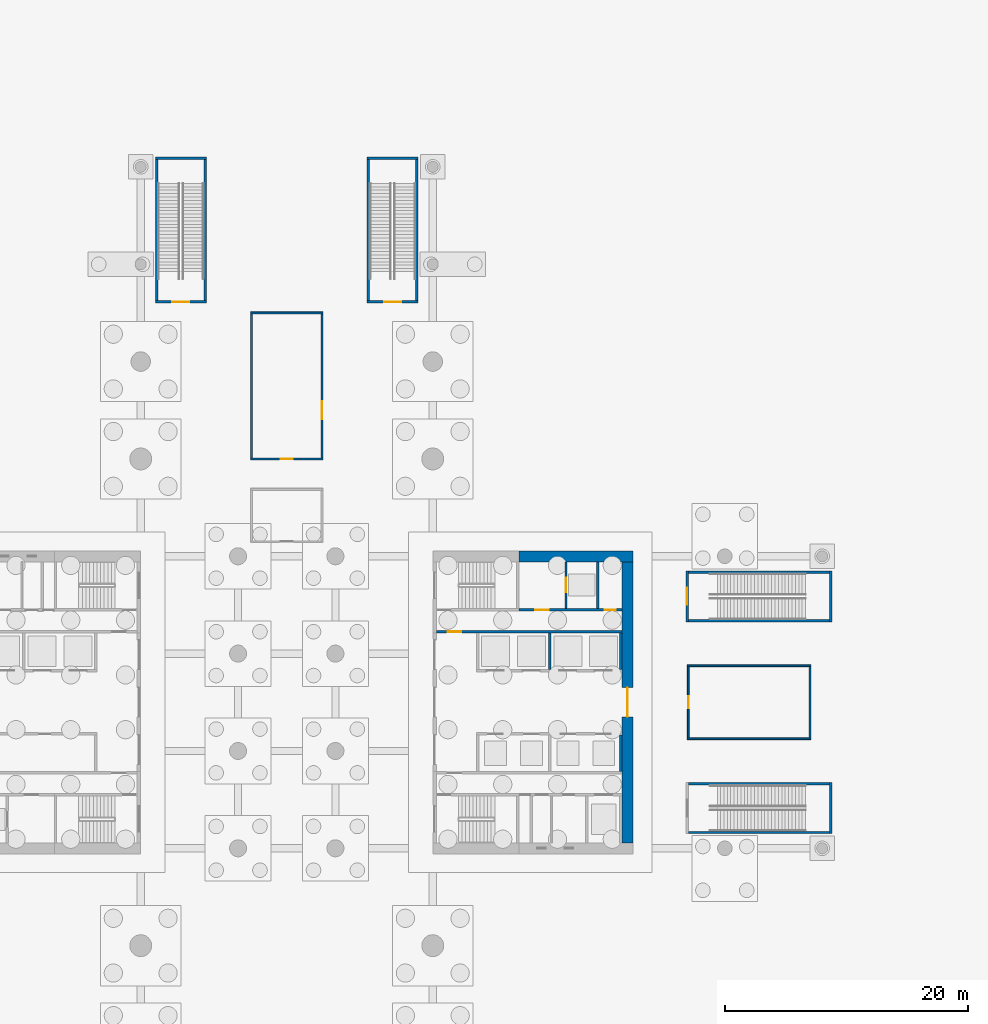
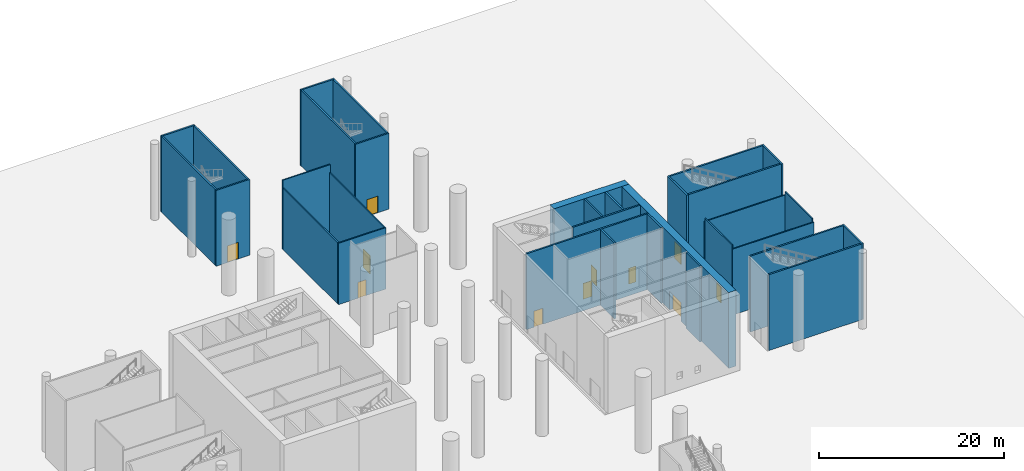
# One storey, part 7 of 14: 32 walls, 11 doors, 11 openings.
"""IFC4 building model written with IfcOpenShell, lengths in metres."""

import ifcopenshell
import ifcopenshell.guid

model = None  # the IFC model being written
_history = None  # IfcOwnerHistory: only IFC2X3 demands one
_inside = {}  # id of a spatial element -> (the spatial element, [elements in it])
_under = {}  # id of a project, library or spatial element -> (it, [spatial elements below it])
_declared = {}  # id of a project -> (the project, [libraries it declares])
_typed = {}  # id of a type object -> (the type object, [elements of that type])
_made_of = {}  # id of a material, layer set ... -> (it, [elements and type objects made of it])


def new_model(schema):
    """Start an empty IFC model of exactly this schema.

    Asked for "IFC4X3", IfcOpenShell would pick the latest addendum, in which some entities
    have other attributes; the version numbers below select the first issue.
    IFC2X3 requires an IfcOwnerHistory on every rooted entity: one is made here for all.
    """
    global model, _history
    if schema == "IFC4X3":
        model = ifcopenshell.file(schema_version=(4, 3, 0, 0))
    else:
        model = ifcopenshell.file(schema=schema)
    _inside.clear()
    _under.clear()
    _declared.clear()
    _typed.clear()
    _made_of.clear()
    _history = None
    if model.schema == "IFC2X3":
        org = make("IfcOrganization", Name="unknown")
        user = make(
            "IfcPersonAndOrganization",
            ThePerson=make("IfcPerson", FamilyName="unknown"),
            TheOrganization=org,
        )
        app = make(
            "IfcApplication",
            ApplicationDeveloper=org,
            Version="unknown",
            ApplicationFullName="unknown",
            ApplicationIdentifier="unknown",
        )
        _history = make(
            "IfcOwnerHistory",
            OwningUser=user,
            OwningApplication=app,
            ChangeAction="ADDED",
            CreationDate=0,
        )
    return model


def make(cls, **values):
    """One entity of the class cls with the attributes given. An attribute that is None is left unset."""
    return model.create_entity(
        cls, **{name: value for name, value in values.items() if value is not None}
    )


def rooted(cls, **values):
    """An entity with a GlobalId (a new one), such as an element, a storey or a relation."""
    return make(cls, GlobalId=ifcopenshell.guid.new(), OwnerHistory=_history, **values)


def si_unit(unit_type, name, prefix=None):
    """IfcSIUnit, for example si_unit("LENGTHUNIT", "METRE", prefix="MILLI")."""
    return make("IfcSIUnit", UnitType=unit_type, Prefix=prefix, Name=name)


def assignment(units):
    """IfcUnitAssignment: the units of a project."""
    return None if units is None else make("IfcUnitAssignment", Units=units)


def point(xyz):
    """IfcCartesianPoint."""
    return None if xyz is None else make("IfcCartesianPoint", Coordinates=xyz)


def direction(xyz):
    """IfcDirection."""
    return None if xyz is None else make("IfcDirection", DirectionRatios=xyz)


def frame(location, z_axis=None, x_axis=None):
    """IfcAxis2Placement3D, a coordinate frame: its origin and axes. An axis left out is left unset."""
    return make(
        "IfcAxis2Placement3D",
        Location=point(location),
        Axis=direction(z_axis),
        RefDirection=direction(x_axis),
    )


def frame_2d(location, x_axis=None):
    """IfcAxis2Placement2D, a coordinate frame in the plane: its origin and x axis."""
    return make(
        "IfcAxis2Placement2D", Location=point(location), RefDirection=direction(x_axis)
    )


def origin():
    """The frame at (0, 0, 0) with its axes left unset."""
    return frame((0.0, 0.0, 0.0))


def place(relative_to, where):
    """IfcLocalPlacement: puts the frame where relative to a parent placement (None: the world)."""
    return make(
        "IfcLocalPlacement", PlacementRelTo=relative_to, RelativePlacement=where
    )


def context(
    kind, dimensions, precision=None, world=None, true_north=None, identifier=None
):
    """IfcGeometricRepresentationContext, for example the 3D "Model" context."""
    return make(
        "IfcGeometricRepresentationContext",
        ContextIdentifier=identifier,
        ContextType=kind,
        CoordinateSpaceDimension=dimensions,
        Precision=precision,
        WorldCoordinateSystem=world,
        TrueNorth=true_north,
    )


def subcontext(parent, identifier, kind, view, scale=None):
    """IfcGeometricRepresentationSubContext, for example "Body" below "Model"."""
    return make(
        "IfcGeometricRepresentationSubContext",
        ContextIdentifier=identifier,
        ContextType=kind,
        ParentContext=parent,
        TargetScale=scale,
        TargetView=view,
    )


def project(units=None, contexts=None):
    """IfcProject with its units and contexts."""
    return rooted(
        "IfcProject",
        Name="project",
        RepresentationContexts=contexts,
        UnitsInContext=assignment(units),
    )


def spatial(cls, under=None, at=None, **own):
    """A site, building, storey or space (cls), placed at a placement, below another one or the project."""
    s = rooted(cls, ObjectPlacement=at, **own)
    if under is not None:
        _under.setdefault(under.id(), (under, []))[1].append(s)
    return s


def profile(cls, at=None, kind="AREA", **sizes):
    """A parametric profile (cls). Its sizes go by their IFC names, for example OverallWidth=200.0."""
    return make(cls, ProfileType=kind, Position=at, **sizes)


def rectangle(**sizes):
    """IfcRectangleProfileDef."""
    return profile("IfcRectangleProfileDef", **sizes)


def extrude(swept, where, along, depth):
    """IfcExtrudedAreaSolid: the profile swept, set in the frame where, extruded along a direction by depth."""
    return make(
        "IfcExtrudedAreaSolid",
        SweptArea=swept,
        Position=where,
        ExtrudedDirection=direction(along),
        Depth=depth,
    )


def shape(context_of_items, identifier, shape_type, items):
    """IfcShapeRepresentation: the items that make up one representation, for example the "Body"."""
    return make(
        "IfcShapeRepresentation",
        ContextOfItems=context_of_items,
        RepresentationIdentifier=identifier,
        RepresentationType=shape_type,
        Items=items,
    )


def material(Name=None, Category=None):
    """IfcMaterial."""
    return make("IfcMaterial", Name=Name, Category=Category)


def layer(
    of_material, thickness, ventilated=None, Name=None, Category=None, Priority=None
):
    """IfcMaterialLayer: one layer of a wall or slab, of a material (None: an air gap)."""
    return make(
        "IfcMaterialLayer",
        Material=of_material,
        LayerThickness=thickness,
        IsVentilated=ventilated,
        Name=Name,
        Category=Category,
        Priority=Priority,
    )


def layer_set(layers, Name=None):
    """IfcMaterialLayerSet."""
    return make("IfcMaterialLayerSet", MaterialLayers=layers, LayerSetName=Name)


def constituent(of_material, Name=None, Category=None, fraction=None):
    """IfcMaterialConstituent: one of the materials an element consists of."""
    return make(
        "IfcMaterialConstituent",
        Name=Name,
        Material=of_material,
        Fraction=fraction,
        Category=Category,
    )


def constituent_set(constituents=None, Name=None):
    """IfcMaterialConstituentSet."""
    return make(
        "IfcMaterialConstituentSet", Name=Name, MaterialConstituents=constituents
    )


def made_of(thing, what):
    """Note that an element or type object is made of a material, layer set ...; save() writes the relation."""
    if what is not None:
        _made_of.setdefault(what.id(), (what, []))[1].append(thing)
    return thing


def type_object(cls, material=None, **own):
    """A type object (cls), such as IfcWallType, which elements share."""
    return made_of(rooted(cls, **own), material)


def element(
    cls,
    number,
    at=None,
    inside=None,
    cuts=None,
    type_object=None,
    material=None,
    context=None,
    identifier="Body",
    shape_type=None,
    held_by="IfcProductDefinitionShape",
    body=None,
    shapes=None,
    **own,
):
    """One element of the class cls, such as IfcWall. Its Tag is "e" and its number.

    at: its placement. inside: the storey or other place that contains it. cuts: it is an
    opening in that element (IfcRelVoidsElement). A single representation is given by context,
    identifier, shape_type and body (its items); several are given by shapes. held_by: the class
    of the entity that holds the representations. save() writes the other relations.
    """
    e = rooted(cls, Tag="e%d" % number, ObjectPlacement=at, **own)
    if body is not None:
        shapes = [shape(context, identifier, shape_type, body)]
    if shapes is not None:
        e.Representation = make(held_by, Representations=shapes)
    if inside is not None:
        _inside.setdefault(inside.id(), (inside, []))[1].append(e)
    if cuts is not None:
        rooted(
            "IfcRelVoidsElement", RelatingBuildingElement=cuts, RelatedOpeningElement=e
        )
    if type_object is not None:
        _typed.setdefault(type_object.id(), (type_object, []))[1].append(e)
    return made_of(e, material)


def fill(opening, filler):
    """IfcRelFillsElement: the door or window that sits in an opening."""
    return rooted(
        "IfcRelFillsElement",
        RelatingOpeningElement=opening,
        RelatedBuildingElement=filler,
    )


def aggregate(whole, parts):
    """IfcRelAggregates: a whole, such as a stair, and the parts it consists of."""
    return rooted("IfcRelAggregates", RelatingObject=whole, RelatedObjects=parts)


def save(model, path):
    """Write the relations noted so far, then the file.

    IfcRelAggregates (storeys below a building ...), IfcRelContainedInSpatialStructure (elements
    in a storey), IfcRelDefinesByType, IfcRelAssociatesMaterial and IfcRelDeclares: one each for
    every whole, place, type object, material and project.
    """
    for whole, parts in _under.values():
        aggregate(whole, parts)
    for where, things in _inside.values():
        rooted(
            "IfcRelContainedInSpatialStructure",
            RelatedElements=things,
            RelatingStructure=where,
        )
    for kind, things in _typed.values():
        rooted("IfcRelDefinesByType", RelatedObjects=things, RelatingType=kind)
    for what, things in _made_of.values():
        rooted("IfcRelAssociatesMaterial", RelatedObjects=things, RelatingMaterial=what)
    for by, libraries in _declared.values():
        rooted("IfcRelDeclares", RelatingContext=by, RelatedDefinitions=libraries)
    model.write(path)


model = new_model("IFC4")

# Units and contexts
model_context = context("Model", 3, precision=1e-05, world=origin(), true_north=direction((0.0, 1.0)))
body_context = subcontext(model_context, "Body", "Model", "MODEL_VIEW")
ifc_project = project(units=[si_unit("LENGTHUNIT", "METRE"), si_unit("AREAUNIT", "SQUARE_METRE"), si_unit("VOLUMEUNIT", "CUBIC_METRE"), si_unit("PLANEANGLEUNIT", "RADIAN"), si_unit("MASSUNIT", "GRAM", prefix="KILO")], contexts=[model_context])

# Site, building, storey
site_placement = place(None, origin())
site = spatial("IfcSite", under=ifc_project, at=site_placement, CompositionType="ELEMENT")
building_placement = place(site_placement, origin())
building = spatial("IfcBuilding", under=site, at=building_placement, Name="Crosswind Convention Tower", CompositionType="ELEMENT")
storey_placement = place(building_placement, origin())
storey = spatial("IfcBuildingStorey", under=building, at=storey_placement, Name="L00", CompositionType="ELEMENT", Elevation=0.0)

# Walls
ifc_material_1 = material(Name="Plasterboard partition", Category="gypsum")
ifc_layer_1 = layer(ifc_material_1, 0.14990234375)
ifc_layer_set_1 = layer_set([ifc_layer_1], Name="CORRIDOR WALL 150")
wall_type_1 = type_object("IfcWallType", Name="CORRIDOR WALL 150", PredefinedType="PARTITIONING", material=ifc_layer_set_1)
for number, where, z_axis, x_axis, name in (
    (1, (157.925048828125, 97.0, 0.0), (0.0, 0.0, 1.0), (1.0, 0.0, 0.0), "Corridor Wall 10"),
    (2, (157.925048828125, 103.0, 0.0), (0.0, 0.0, 1.0), (1.0, 0.0, 0.0), "Corridor Wall 12"),
):
    element("IfcWall", number, at=place(storey_placement, frame(where, z_axis=z_axis, x_axis=x_axis)), inside=storey, type_object=wall_type_1, Name=name, PredefinedType="PARTITIONING", context=body_context, shape_type="SweptSolid", body=[
        extrude(rectangle(XDim=10.14990234375, YDim=0.14990234375, at=frame_2d((5.074951171875, 0.0))), origin(), (0.0, 0.0, 1.0), 8.699951171875),
    ])

# Wall, opening, door
wall_1_placement = place(storey_placement, frame((122.02490234375, 120.0, 0.0), z_axis=(0.0, 0.0, 1.0), x_axis=(1.0, 0.0, 0.0)))
wall_1 = element("IfcWall", 3, at=wall_1_placement, inside=storey, type_object=wall_type_1, Name="Corridor Wall 19", PredefinedType="PARTITIONING", context=body_context, shape_type="SweptSolid", body=[
    extrude(rectangle(XDim=5.9501953125, YDim=0.14990234375, at=frame_2d((2.97509765625, 0.0))), origin(), (0.0, 0.0, 1.0), 8.10009765625),
])
opening_1_placement = place(wall_1_placement, frame((2.47509765625, 0.0, 0.0)))
opening_1 = element("IfcOpeningElement", 4, at=opening_1_placement, cuts=wall_1, Name="Opening 00.002", PredefinedType="OPENING", context=body_context, shape_type="SweptSolid", body=[
    extrude(rectangle(XDim=1.0, YDim=2.10009765625, at=frame_2d((0.5, 1.050048828125))), frame((0.0, 0.0849609375, 0.0), z_axis=(0.0, -1.0, 0.0), x_axis=(1.0, 0.0, 0.0)), (0.0, 0.0, 1.0), 0.169921875),
])
ifc_material_2 = material(Name="Timber fire door", Category="wood")
door_type_1 = type_object("IfcDoorType", Name="SERVICE ROOM DOOR 1000X2100", OperationType="NOTDEFINED", PredefinedType="DOOR", material=ifc_material_2)
door_1_placement = place(opening_1_placement, origin())
door_1 = element("IfcDoor", 5, at=door_1_placement, inside=storey, type_object=door_type_1, Name="Door 00.002", ObjectType="D3", OperationType="SINGLE_SWING_RIGHT", OverallHeight=2.10009765625, OverallWidth=1.0, PredefinedType="DOOR", context=body_context, shape_type="SweptSolid", body=[
    extrude(rectangle(XDim=1.0, YDim=2.10009765625, at=frame_2d((0.5, 1.050048828125))), frame((0.0, 0.02490234375, 0.0), z_axis=(0.0, -1.0, 0.0), x_axis=(1.0, 0.0, 0.0)), (0.0, 0.0, 1.0), 0.050048828125),
])
fill(opening_1, door_1)

# Walls
wall_2_placement = place(storey_placement, frame((122.02490234375, 132.0, 0.0), z_axis=(0.0, 0.0, 1.0), x_axis=(1.0, 0.0, 0.0)))
element("IfcWall", 6, at=wall_2_placement, inside=storey, type_object=wall_type_1, Name="Corridor Wall 20", PredefinedType="PARTITIONING", context=body_context, shape_type="SweptSolid", body=[
    extrude(rectangle(XDim=5.9501953125, YDim=0.14990234375, at=frame_2d((2.97509765625, 0.0))), origin(), (0.0, 0.0, 1.0), 9.139892578125),
])
wall_3_placement = place(storey_placement, frame((122.10009765625, 120.074951171875, 0.0), z_axis=(0.0, 0.0, 1.0), x_axis=(0.0, 1.0, 0.0)))
element("IfcWall", 7, at=wall_3_placement, inside=storey, type_object=wall_type_1, Name="Corridor Wall 36", PredefinedType="PARTITIONING", context=body_context, shape_type="SweptSolid", body=[
    extrude(rectangle(XDim=11.85009765625, YDim=0.14990234375, at=frame_2d((5.925048828125, 0.0))), origin(), (0.0, 0.0, 1.0), 8.10009765625),
])

# Wall, opening, door
wall_4_placement = place(storey_placement, frame((127.89990234375, 120.074951171875, 0.0), z_axis=(0.0, 0.0, 1.0), x_axis=(0.0, 1.0, 0.0)))
wall_4 = element("IfcWall", 8, at=wall_4_placement, inside=storey, type_object=wall_type_1, Name="Corridor Wall 38", PredefinedType="PARTITIONING", context=body_context, shape_type="SweptSolid", body=[
    extrude(rectangle(XDim=11.85009765625, YDim=0.14990234375, at=frame_2d((5.925048828125, 0.0))), origin(), (0.0, 0.0, 1.0), 8.10009765625),
])
opening_2_placement = place(wall_4_placement, frame((3.175048828125, 0.0, 0.0)))
opening_2 = element("IfcOpeningElement", 9, at=opening_2_placement, cuts=wall_4, Name="Opening 00.001", PredefinedType="OPENING", context=body_context, shape_type="SweptSolid", body=[
    extrude(rectangle(XDim=1.5, YDim=2.39990234375, at=frame_2d((0.75, 1.199951171875))), frame((0.0, 0.0849609375, 0.0), z_axis=(0.0, -1.0, 0.0), x_axis=(1.0, 0.0, 0.0)), (0.0, 0.0, 1.0), 0.169921875),
])
ifc_material_3 = material(Name="Steel fire door", Category="steel")
door_type_2 = type_object("IfcDoorType", Name="GOODS DOOR 1500X2400", OperationType="DOUBLE_DOOR_SINGLE_SWING", PredefinedType="DOOR", material=ifc_material_3)
door_2_placement = place(opening_2_placement, origin())
door_2 = element("IfcDoor", 10, at=door_2_placement, inside=storey, type_object=door_type_2, Name="Door 00.001", ObjectType="D10", OperationType="DOUBLE_DOOR_SINGLE_SWING", OverallHeight=2.39990234375, OverallWidth=1.5, PredefinedType="DOOR", context=body_context, shape_type="SweptSolid", body=[
    extrude(rectangle(XDim=1.5, YDim=2.39990234375, at=frame_2d((0.75, 1.199951171875))), frame((0.0, 0.02490234375, 0.0), z_axis=(0.0, -1.0, 0.0), x_axis=(1.0, 0.0, 0.0)), (0.0, 0.0, 1.0), 0.050048828125),
])
fill(opening_2, door_2)

wall_5_placement = place(storey_placement, frame((158.0, 97.074951171875, 0.0), z_axis=(0.0, 0.0, 1.0), x_axis=(0.0, 1.0, 0.0)))
wall_5 = element("IfcWall", 11, at=wall_5_placement, inside=storey, type_object=wall_type_1, Name="Corridor Wall 45", PredefinedType="PARTITIONING", context=body_context, shape_type="SweptSolid", body=[
    extrude(rectangle(XDim=5.85009765625, YDim=0.14990234375, at=frame_2d((2.925048828125, 0.0))), origin(), (0.0, 0.0, 1.0), 9.139892578125),
])
opening_3_placement = place(wall_5_placement, frame((2.425048828125, 0.0, 0.0)))
opening_3 = element("IfcOpeningElement", 12, at=opening_3_placement, cuts=wall_5, Name="Opening 00.004", PredefinedType="OPENING", context=body_context, shape_type="SweptSolid", body=[
    extrude(rectangle(XDim=1.0, YDim=2.10009765625, at=frame_2d((0.5, 1.050048828125))), frame((0.0, 0.0849609375, 0.0), z_axis=(0.0, -1.0, 0.0), x_axis=(1.0, 0.0, 0.0)), (0.0, 0.0, 1.0), 0.169921875),
])
door_3_placement = place(opening_3_placement, frame((1.0, 0.0, 0.0), z_axis=(0.0, 0.0, 1.0), x_axis=(-1.0, 0.0, 0.0)))
door_3 = element("IfcDoor", 13, at=door_3_placement, inside=storey, type_object=door_type_1, Name="Door 00.004", ObjectType="D3", OperationType="SINGLE_SWING_LEFT", OverallHeight=2.10009765625, OverallWidth=1.0, PredefinedType="DOOR", context=body_context, shape_type="SweptSolid", body=[
    extrude(rectangle(XDim=1.0, YDim=2.10009765625, at=frame_2d((0.5, 1.050048828125))), frame((0.0, 0.02490234375, 0.0), z_axis=(0.0, -1.0, 0.0), x_axis=(1.0, 0.0, 0.0)), (0.0, 0.0, 1.0), 0.050048828125),
])
fill(opening_3, door_3)

# Walls
wall_6_placement = place(storey_placement, frame((168.0, 97.074951171875, 0.0), z_axis=(0.0, 0.0, 1.0), x_axis=(0.0, 1.0, 0.0)))
element("IfcWall", 14, at=wall_6_placement, inside=storey, type_object=wall_type_1, Name="Corridor Wall 46", PredefinedType="PARTITIONING", context=body_context, shape_type="SweptSolid", body=[
    extrude(rectangle(XDim=5.85009765625, YDim=0.14990234375, at=frame_2d((2.925048828125, 0.0))), origin(), (0.0, 0.0, 1.0), 9.139892578125),
])
ifc_material_4 = material(Name="Concrete C50/60", Category="concrete")
ifc_layer_2 = layer(ifc_material_4, 0.199951171875)
ifc_layer_set_2 = layer_set([ifc_layer_2], Name="Concrete C50/60")
wall_type_2 = type_object("IfcWallType", Name="Concrete shaft and stair wall 200", PredefinedType="SHEAR", material=ifc_layer_set_2)
for number, where, z_axis, x_axis, name in (
    (15, (146.60009765625, 102.699951171875, 0.0), (0.0, 0.0, 1.0), (0.0, 1.0, 0.0), "Wall RPSEP E L00"),
    (16, (152.449951171875, 102.699951171875, 0.0), (0.0, 0.0, 1.0), (0.0, 1.0, 0.0), "Wall RPEAST E L00"),
    (17, (152.449951171875, 94.300048828125, 0.0), (0.0, 0.0, 1.0), (0.0, 1.0, 0.0), "Wall RMEAST E L00"),
):
    element("IfcWall", number, at=place(storey_placement, frame(where, z_axis=z_axis, x_axis=x_axis)), inside=storey, type_object=wall_type_2, Name=name, PredefinedType="SHEAR", context=body_context, shape_type="SweptSolid", body=[
        extrude(rectangle(XDim=3.0, YDim=0.199951171875, at=frame_2d((1.5, 0.0))), origin(), (0.0, 0.0, 1.0), 10.0),
    ])

# Wall, opening, door
wall_7_placement = place(storey_placement, frame((137.300048828125, 105.800048828125, 0.0), z_axis=(0.0, 0.0, 1.0), x_axis=(1.0, 0.0, 0.0)))
wall_7 = element("IfcWall", 18, at=wall_7_placement, inside=storey, type_object=wall_type_2, Name="Wall HP E L00", PredefinedType="SHEAR", context=body_context, shape_type="SweptSolid", body=[
    extrude(rectangle(XDim=15.25, YDim=0.199951171875, at=frame_2d((7.625, 0.0))), origin(), (0.0, 0.0, 1.0), 10.0),
])
opening_4_placement = place(wall_7_placement, frame((0.949951171875, 0.0, 0.0)))
opening_4 = element("IfcOpeningElement", 19, at=opening_4_placement, cuts=wall_7, Name="Opening D104", PredefinedType="OPENING", context=body_context, shape_type="SweptSolid", body=[
    extrude(rectangle(XDim=1.10009765625, YDim=2.10009765625, at=frame_2d((0.550048828125, 1.050048828125))), frame((0.0, 0.10986328125, 0.0), z_axis=(0.0, -1.0, 0.0), x_axis=(1.0, 0.0, 0.0)), (0.0, 0.0, 1.0), 0.219970703125),
])
door_type_3 = type_object("IfcDoorType", Name="Fire-rated single door 1100x2100", OperationType="NOTDEFINED", PredefinedType="DOOR", material=ifc_material_3)
door_4_placement = place(opening_4_placement, origin())
door_4 = element("IfcDoor", 20, at=door_4_placement, inside=storey, type_object=door_type_3, Name="Corridor door L00", ObjectType="D104", OperationType="SINGLE_SWING_LEFT", OverallHeight=2.10009765625, OverallWidth=1.10009765625, PredefinedType="DOOR", context=body_context, shape_type="SweptSolid", body=[
    extrude(rectangle(XDim=1.10009765625, YDim=2.10009765625, at=frame_2d((0.550048828125, 1.050048828125))), frame((0.0, 0.02490234375, 0.0), z_axis=(0.0, -1.0, 0.0), x_axis=(1.0, 0.0, 0.0)), (0.0, 0.0, 1.0), 0.050048828125),
])
fill(opening_4, door_4)

wall_8_placement = place(storey_placement, frame((147.949951171875, 107.699951171875, 0.0), z_axis=(0.0, 0.0, 1.0), x_axis=(0.0, 1.0, 0.0)))
wall_8 = element("IfcWall", 21, at=wall_8_placement, inside=storey, type_object=wall_type_2, Name="Wall PFLW E L00", PredefinedType="SHEAR", context=body_context, shape_type="SweptSolid", body=[
    extrude(rectangle(XDim=3.85009765625, YDim=0.199951171875, at=frame_2d((1.925048828125, 0.0))), origin(), (0.0, 0.0, 1.0), 10.0),
])
opening_5_placement = place(wall_8_placement, frame((1.324951171875, 0.0, 0.0)))
opening_5 = element("IfcOpeningElement", 22, at=opening_5_placement, cuts=wall_8, Name="Opening LD1", PredefinedType="OPENING", context=body_context, shape_type="SweptSolid", body=[
    extrude(rectangle(XDim=1.199951171875, YDim=2.10009765625, at=frame_2d((0.60009765625, 1.050048828125))), frame((0.0, 0.10986328125, 0.0), z_axis=(0.0, -1.0, 0.0), x_axis=(1.0, 0.0, 0.0)), (0.0, 0.0, 1.0), 0.219970703125),
])
ifc_material_5 = material(Name="Stainless steel", Category="steel")
door_type_4 = type_object("IfcDoorType", Name="Lift landing door 1200x2100", OperationType="DOUBLE_DOOR_SLIDING", PredefinedType="DOOR", material=ifc_material_5)
door_5_placement = place(opening_5_placement, origin())
door_5 = element("IfcDoor", 23, at=door_5_placement, inside=storey, type_object=door_type_4, Name="Landing door FF1 L00", ObjectType="LD1", OperationType="DOUBLE_DOOR_SLIDING", OverallHeight=2.10009765625, OverallWidth=1.199951171875, PredefinedType="DOOR", context=body_context, shape_type="SweptSolid", body=[
    extrude(rectangle(XDim=1.199951171875, YDim=2.10009765625, at=frame_2d((0.60009765625, 1.050048828125))), frame((0.0, 0.02490234375, 0.0), z_axis=(0.0, -1.0, 0.0), x_axis=(1.0, 0.0, 0.0)), (0.0, 0.0, 1.0), 0.050048828125),
])
fill(opening_5, door_5)

# Wall
wall_9_placement = place(storey_placement, frame((150.550048828125, 107.699951171875, 0.0), z_axis=(0.0, 0.0, 1.0), x_axis=(0.0, 1.0, 0.0)))
element("IfcWall", 24, at=wall_9_placement, inside=storey, type_object=wall_type_2, Name="Wall PFSE E L00", PredefinedType="SHEAR", context=body_context, shape_type="SweptSolid", body=[
    extrude(rectangle(XDim=3.85009765625, YDim=0.199951171875, at=frame_2d((1.925048828125, 0.0))), origin(), (0.0, 0.0, 1.0), 10.0),
])

# Wall, openings, doors
wall_10_placement = place(storey_placement, frame((144.10009765625, 107.60009765625, 0.0), z_axis=(0.0, 0.0, 1.0), x_axis=(1.0, 0.0, 0.0)))
wall_10 = element("IfcWall", 25, at=wall_10_placement, inside=storey, type_object=wall_type_2, Name="Wall PCX E L00", PredefinedType="SHEAR", context=body_context, shape_type="SweptSolid", body=[
    extrude(rectangle(XDim=8.449951171875, YDim=0.199951171875, at=frame_2d((4.22509765625, 0.0))), origin(), (0.0, 0.0, 1.0), 10.0),
])
opening_6_placement = place(wall_10_placement, frame((1.324951171875, 0.0, 0.0)))
opening_6 = element("IfcOpeningElement", 26, at=opening_6_placement, cuts=wall_10, Name="Opening D104", PredefinedType="OPENING", context=body_context, shape_type="SweptSolid", body=[
    extrude(rectangle(XDim=1.10009765625, YDim=2.10009765625, at=frame_2d((0.550048828125, 1.050048828125))), frame((0.0, 0.10986328125, 0.0), z_axis=(0.0, -1.0, 0.0), x_axis=(1.0, 0.0, 0.0)), (0.0, 0.0, 1.0), 0.219970703125),
])
opening_7_placement = place(wall_10_placement, frame((7.050048828125, 0.0, 0.0)))
opening_7 = element("IfcOpeningElement", 27, at=opening_7_placement, cuts=wall_10, Name="Opening D106", PredefinedType="OPENING", context=body_context, shape_type="SweptSolid", body=[
    extrude(rectangle(XDim=0.89990234375, YDim=2.10009765625, at=frame_2d((0.449951171875, 1.050048828125))), frame((0.0, 0.10986328125, 0.0), z_axis=(0.0, -1.0, 0.0), x_axis=(1.0, 0.0, 0.0)), (0.0, 0.0, 1.0), 0.219970703125),
])
door_6_placement = place(opening_6_placement, origin())
door_6 = element("IfcDoor", 28, at=door_6_placement, inside=storey, type_object=door_type_3, Name="Fire-fighting lobby FF1 door L00", ObjectType="D104", OperationType="SINGLE_SWING_RIGHT", OverallHeight=2.10009765625, OverallWidth=1.10009765625, PredefinedType="DOOR", context=body_context, shape_type="SweptSolid", body=[
    extrude(rectangle(XDim=1.10009765625, YDim=2.10009765625, at=frame_2d((0.550048828125, 1.050048828125))), frame((0.0, 0.02490234375, 0.0), z_axis=(0.0, -1.0, 0.0), x_axis=(1.0, 0.0, 0.0)), (0.0, 0.0, 1.0), 0.050048828125),
])
fill(opening_6, door_6)
ifc_material_6 = material(Name="Timber door", Category="wood")
door_type_5 = type_object("IfcDoorType", Name="Single leaf door 900x2100", OperationType="NOTDEFINED", PredefinedType="DOOR", material=ifc_material_6)
door_7_placement = place(opening_7_placement, origin())
door_7 = element("IfcDoor", 29, at=door_7_placement, inside=storey, type_object=door_type_5, Name="Door to security room L00", ObjectType="D106", OperationType="SINGLE_SWING_RIGHT", OverallHeight=2.10009765625, OverallWidth=0.89990234375, PredefinedType="DOOR", context=body_context, shape_type="SweptSolid", body=[
    extrude(rectangle(XDim=0.89990234375, YDim=2.10009765625, at=frame_2d((0.449951171875, 1.050048828125))), frame((0.0, 0.02490234375, 0.0), z_axis=(0.0, -1.0, 0.0), x_axis=(1.0, 0.0, 0.0)), (0.0, 0.0, 1.0), 0.050048828125),
])
fill(opening_7, door_7)

# Walls
ifc_material_7 = material(Name="Concrete C40/50", Category="concrete")
ifc_layer_3 = layer(ifc_material_7, 0.199951171875)
ifc_layer_set_3 = layer_set([ifc_layer_3], Name="Concrete C40/50")
wall_type_3 = type_object("IfcWallType", Name="STAIR ENCLOSURE WALL 200", PredefinedType="SOLIDWALL", material=ifc_layer_set_3)
for number, where, z_axis, x_axis, name in (
    (30, (158.0, 89.300048828125, 0.0), (0.0, 0.0, 1.0), (1.0, 0.0, 0.0), "Stair Enclosure Wall 6"),
    (31, (158.0, 93.300048828125, 0.0), (0.0, 0.0, 1.0), (1.0, 0.0, 0.0), "Stair Enclosure Wall 8"),
    (32, (158.0, 106.699951171875, 0.0), (0.0, 0.0, 1.0), (1.0, 0.0, 0.0), "Stair Enclosure Wall 14"),
    (33, (158.0, 110.699951171875, 0.0), (0.0, 0.0, 1.0), (1.0, 0.0, 0.0), "Stair Enclosure Wall 16"),
):
    element("IfcWall", number, at=place(storey_placement, frame(where, z_axis=z_axis, x_axis=x_axis)), inside=storey, type_object=wall_type_3, Name=name, PredefinedType="SOLIDWALL", context=body_context, shape_type="SweptSolid", body=[
        extrude(rectangle(XDim=11.60009765625, YDim=0.199951171875, at=frame_2d((5.800048828125, 0.0))), origin(), (0.0, 0.0, 1.0), 10.0),
    ])

# Wall, opening, door
wall_11_placement = place(storey_placement, frame((114.199951171875, 132.89990234375, 0.0), z_axis=(0.0, 0.0, 1.0), x_axis=(1.0, 0.0, 0.0)))
wall_11 = element("IfcWall", 34, at=wall_11_placement, inside=storey, type_object=wall_type_3, Name="Stair Enclosure Wall 21", PredefinedType="SOLIDWALL", context=body_context, shape_type="SweptSolid", body=[
    extrude(rectangle(XDim=4.199951171875, YDim=0.199951171875, at=frame_2d((2.10009765625, 0.0))), origin(), (0.0, 0.0, 1.0), 10.0),
])
opening_8_placement = place(wall_11_placement, frame((1.39990234375, 0.0, 0.0)))
opening_8 = element("IfcOpeningElement", 35, at=opening_8_placement, cuts=wall_11, Name="Opening 00.008", PredefinedType="OPENING", context=body_context, shape_type="SweptSolid", body=[
    extrude(rectangle(XDim=1.39990234375, YDim=2.199951171875, at=frame_2d((0.699951171875, 1.10009765625))), frame((0.0, 0.10986328125, 0.0), z_axis=(0.0, -1.0, 0.0), x_axis=(1.0, 0.0, 0.0)), (0.0, 0.0, 1.0), 0.219970703125),
])
door_type_6 = type_object("IfcDoorType", Name="STAIR DISCHARGE DOOR 1400X2200", OperationType="DOUBLE_DOOR_SINGLE_SWING", PredefinedType="DOOR", material=ifc_material_3)
door_8_placement = place(opening_8_placement, frame((1.39990234375, 0.0, 0.0), z_axis=(0.0, 0.0, 1.0), x_axis=(-1.0, 0.0, 0.0)))
door_8 = element("IfcDoor", 36, at=door_8_placement, inside=storey, type_object=door_type_6, Name="Door 00.008", ObjectType="D11", OperationType="DOUBLE_DOOR_SINGLE_SWING", OverallHeight=2.199951171875, OverallWidth=1.39990234375, PredefinedType="DOOR", context=body_context, shape_type="SweptSolid", body=[
    extrude(rectangle(XDim=1.39990234375, YDim=2.199951171875, at=frame_2d((0.699951171875, 1.10009765625))), frame((0.0, 0.02490234375, 0.0), z_axis=(0.0, -1.0, 0.0), x_axis=(1.0, 0.0, 0.0)), (0.0, 0.0, 1.0), 0.050048828125),
])
fill(opening_8, door_8)

wall_12_placement = place(storey_placement, frame((131.60009765625, 132.89990234375, 0.0), z_axis=(0.0, 0.0, 1.0), x_axis=(1.0, 0.0, 0.0)))
wall_12 = element("IfcWall", 37, at=wall_12_placement, inside=storey, type_object=wall_type_3, Name="Stair Enclosure Wall 22", PredefinedType="SOLIDWALL", context=body_context, shape_type="SweptSolid", body=[
    extrude(rectangle(XDim=4.199951171875, YDim=0.199951171875, at=frame_2d((2.10009765625, 0.0))), origin(), (0.0, 0.0, 1.0), 10.0),
])
opening_9_placement = place(wall_12_placement, frame((1.39990234375, 0.0, 0.0)))
opening_9 = element("IfcOpeningElement", 38, at=opening_9_placement, cuts=wall_12, Name="Opening 00.009", PredefinedType="OPENING", context=body_context, shape_type="SweptSolid", body=[
    extrude(rectangle(XDim=1.39990234375, YDim=2.199951171875, at=frame_2d((0.699951171875, 1.10009765625))), frame((0.0, 0.10986328125, 0.0), z_axis=(0.0, -1.0, 0.0), x_axis=(1.0, 0.0, 0.0)), (0.0, 0.0, 1.0), 0.219970703125),
])
door_9_placement = place(opening_9_placement, frame((1.39990234375, 0.0, 0.0), z_axis=(0.0, 0.0, 1.0), x_axis=(-1.0, 0.0, 0.0)))
door_9 = element("IfcDoor", 39, at=door_9_placement, inside=storey, type_object=door_type_6, Name="Door 00.009", ObjectType="D11", OperationType="DOUBLE_DOOR_SINGLE_SWING", OverallHeight=2.199951171875, OverallWidth=1.39990234375, PredefinedType="DOOR", context=body_context, shape_type="SweptSolid", body=[
    extrude(rectangle(XDim=1.39990234375, YDim=2.199951171875, at=frame_2d((0.699951171875, 1.10009765625))), frame((0.0, 0.02490234375, 0.0), z_axis=(0.0, -1.0, 0.0), x_axis=(1.0, 0.0, 0.0)), (0.0, 0.0, 1.0), 0.050048828125),
])
fill(opening_9, door_9)

# Walls
for number, where, z_axis, x_axis, name in (
    (40, (114.199951171875, 144.699951171875, 0.0), (0.0, 0.0, 1.0), (1.0, 0.0, 0.0), "Stair Enclosure Wall 23"),
    (41, (131.60009765625, 144.699951171875, 0.0), (0.0, 0.0, 1.0), (1.0, 0.0, 0.0), "Stair Enclosure Wall 24"),
):
    element("IfcWall", number, at=place(storey_placement, frame(where, z_axis=z_axis, x_axis=x_axis)), inside=storey, type_object=wall_type_3, Name=name, PredefinedType="SOLIDWALL", context=body_context, shape_type="SweptSolid", body=[
        extrude(rectangle(XDim=4.199951171875, YDim=0.199951171875, at=frame_2d((2.10009765625, 0.0))), origin(), (0.0, 0.0, 1.0), 10.0),
    ])
for number, where, z_axis, x_axis, name in (
    (42, (114.300048828125, 133.0, 0.0), (0.0, 0.0, 1.0), (0.0, 1.0, 0.0), "Stair Enclosure Wall 32"),
    (43, (118.300048828125, 133.0, 0.0), (0.0, 0.0, 1.0), (0.0, 1.0, 0.0), "Stair Enclosure Wall 34"),
    (44, (131.699951171875, 133.0, 0.0), (0.0, 0.0, 1.0), (0.0, 1.0, 0.0), "Stair Enclosure Wall 40"),
    (45, (135.699951171875, 133.0, 0.0), (0.0, 0.0, 1.0), (0.0, 1.0, 0.0), "Stair Enclosure Wall 42"),
):
    element("IfcWall", number, at=place(storey_placement, frame(where, z_axis=z_axis, x_axis=x_axis)), inside=storey, type_object=wall_type_3, Name=name, PredefinedType="SOLIDWALL", context=body_context, shape_type="SweptSolid", body=[
        extrude(rectangle(XDim=11.60009765625, YDim=0.199951171875, at=frame_2d((5.800048828125, 0.0))), origin(), (0.0, 0.0, 1.0), 10.0),
    ])

# Wall, opening, door
wall_13_placement = place(storey_placement, frame((157.89990234375, 106.60009765625, 0.0), z_axis=(0.0, 0.0, 1.0), x_axis=(0.0, 1.0, 0.0)))
wall_13 = element("IfcWall", 46, at=wall_13_placement, inside=storey, type_object=wall_type_3, Name="Stair Enclosure Wall 44", PredefinedType="SOLIDWALL", context=body_context, shape_type="SweptSolid", body=[
    extrude(rectangle(XDim=4.199951171875, YDim=0.199951171875, at=frame_2d((2.10009765625, 0.0))), origin(), (0.0, 0.0, 1.0), 10.0),
])
opening_10_placement = place(wall_13_placement, frame((1.39990234375, 0.0, 0.0)))
opening_10 = element("IfcOpeningElement", 47, at=opening_10_placement, cuts=wall_13, Name="Opening 00.007", PredefinedType="OPENING", context=body_context, shape_type="SweptSolid", body=[
    extrude(rectangle(XDim=1.39990234375, YDim=2.199951171875, at=frame_2d((0.699951171875, 1.10009765625))), frame((0.0, 0.10986328125, 0.0), z_axis=(0.0, -1.0, 0.0), x_axis=(1.0, 0.0, 0.0)), (0.0, 0.0, 1.0), 0.219970703125),
])
door_10_placement = place(opening_10_placement, origin())
door_10 = element("IfcDoor", 48, at=door_10_placement, inside=storey, type_object=door_type_6, Name="Door 00.007", ObjectType="D11", OperationType="DOUBLE_DOOR_SINGLE_SWING", OverallHeight=2.199951171875, OverallWidth=1.39990234375, PredefinedType="DOOR", context=body_context, shape_type="SweptSolid", body=[
    extrude(rectangle(XDim=1.39990234375, YDim=2.199951171875, at=frame_2d((0.699951171875, 1.10009765625))), frame((0.0, 0.02490234375, 0.0), z_axis=(0.0, -1.0, 0.0), x_axis=(1.0, 0.0, 0.0)), (0.0, 0.0, 1.0), 0.050048828125),
])
fill(opening_10, door_10)

# Walls
for number, where, z_axis, x_axis, name in (
    (49, (169.699951171875, 89.199951171875, 0.0), (0.0, 0.0, 1.0), (0.0, 1.0, 0.0), "Stair Enclosure Wall 47"),
    (50, (169.699951171875, 106.60009765625, 0.0), (0.0, 0.0, 1.0), (0.0, 1.0, 0.0), "Stair Enclosure Wall 48"),
):
    element("IfcWall", number, at=place(storey_placement, frame(where, z_axis=z_axis, x_axis=x_axis)), inside=storey, type_object=wall_type_3, Name=name, PredefinedType="SOLIDWALL", context=body_context, shape_type="SweptSolid", body=[
        extrude(rectangle(XDim=4.199951171875, YDim=0.199951171875, at=frame_2d((2.10009765625, 0.0))), origin(), (0.0, 0.0, 1.0), 10.0),
    ])
ifc_material_8 = material(Name="Concrete C60/75", Category="concrete")
ifc_constituent_1 = constituent(ifc_material_8, Name="Structure")
ifc_material_9 = material(Name="Terracotta rainscreen", Category="ceramic")
ifc_constituent_2 = constituent(ifc_material_9, Name="Facing")
ifc_constituent_set = constituent_set(constituents=[ifc_constituent_1, ifc_constituent_2], Name="Concrete C60/75, Terracotta rainscreen")
wall_type_4 = type_object("IfcWallType", Name="Terracotta rainscreen on concrete core wall 900", PredefinedType="SHEAR", material=ifc_constituent_set)
wall_14_placement = place(storey_placement, frame((144.10009765625, 112.0, 0.0), z_axis=(0.0, 0.0, 1.0), x_axis=(1.0, 0.0, 0.0)))
element("IfcWall", 51, at=wall_14_placement, inside=storey, type_object=wall_type_4, Name="Wall N2 E L00", PredefinedType="SHEAR", context=body_context, shape_type="SweptSolid", body=[
    extrude(rectangle(XDim=9.349853515625, YDim=0.89990234375, at=frame_2d((4.6748046875, 0.0))), origin(), (0.0, 0.0, 1.0), 10.0),
])

# Wall, opening, door
wall_15_placement = place(storey_placement, frame((153.0, 88.449951171875, 0.0), z_axis=(0.0, 0.0, 1.0), x_axis=(0.0, 1.0, 0.0)))
wall_15 = element("IfcWall", 52, at=wall_15_placement, inside=storey, type_object=wall_type_4, Name="Wall O E L00", PredefinedType="SHEAR", context=body_context, shape_type="SweptSolid", body=[
    extrude(rectangle(XDim=23.10009765625, YDim=0.89990234375, at=frame_2d((11.550048828125, 0.0))), origin(), (0.0, 0.0, 1.0), 10.0),
])
opening_11_placement = place(wall_15_placement, frame((10.35009765625, 0.0, 0.0)))
opening_11 = element("IfcOpeningElement", 53, at=opening_11_placement, cuts=wall_15, Name="Opening D100", PredefinedType="OPENING", context=body_context, shape_type="SweptSolid", body=[
    extrude(rectangle(XDim=2.39990234375, YDim=2.39990234375, at=frame_2d((1.199951171875, 1.199951171875))), frame((0.0, 0.4599609375, 0.0), z_axis=(0.0, -1.0, 0.0), x_axis=(1.0, 0.0, 0.0)), (0.0, 0.0, 1.0), 0.919921875),
])
ifc_material_10 = material(Name="Steel fire door with glazed vision panels", Category="steel")
door_type_7 = type_object("IfcDoorType", Name="Fire-rated double door 2400x2400", OperationType="DOUBLE_DOOR_SINGLE_SWING", PredefinedType="DOOR", material=ifc_material_10)
door_11_placement = place(opening_11_placement, frame((2.39990234375, 0.0, 0.0), z_axis=(0.0, 0.0, 1.0), x_axis=(-1.0, 0.0, 0.0)))
door_11 = element("IfcDoor", 54, at=door_11_placement, inside=storey, type_object=door_type_7, Name="Lobby outer door L00", ObjectType="D100", OperationType="DOUBLE_DOOR_SINGLE_SWING", OverallHeight=2.39990234375, OverallWidth=2.39990234375, PredefinedType="DOOR", context=body_context, shape_type="SweptSolid", body=[
    extrude(rectangle(XDim=2.39990234375, YDim=2.39990234375, at=frame_2d((1.199951171875, 1.199951171875))), frame((0.0, 0.02490234375, 0.0), z_axis=(0.0, -1.0, 0.0), x_axis=(1.0, 0.0, 0.0)), (0.0, 0.0, 1.0), 0.050048828125),
])
fill(opening_11, door_11)

save(model, "model.ifc")
